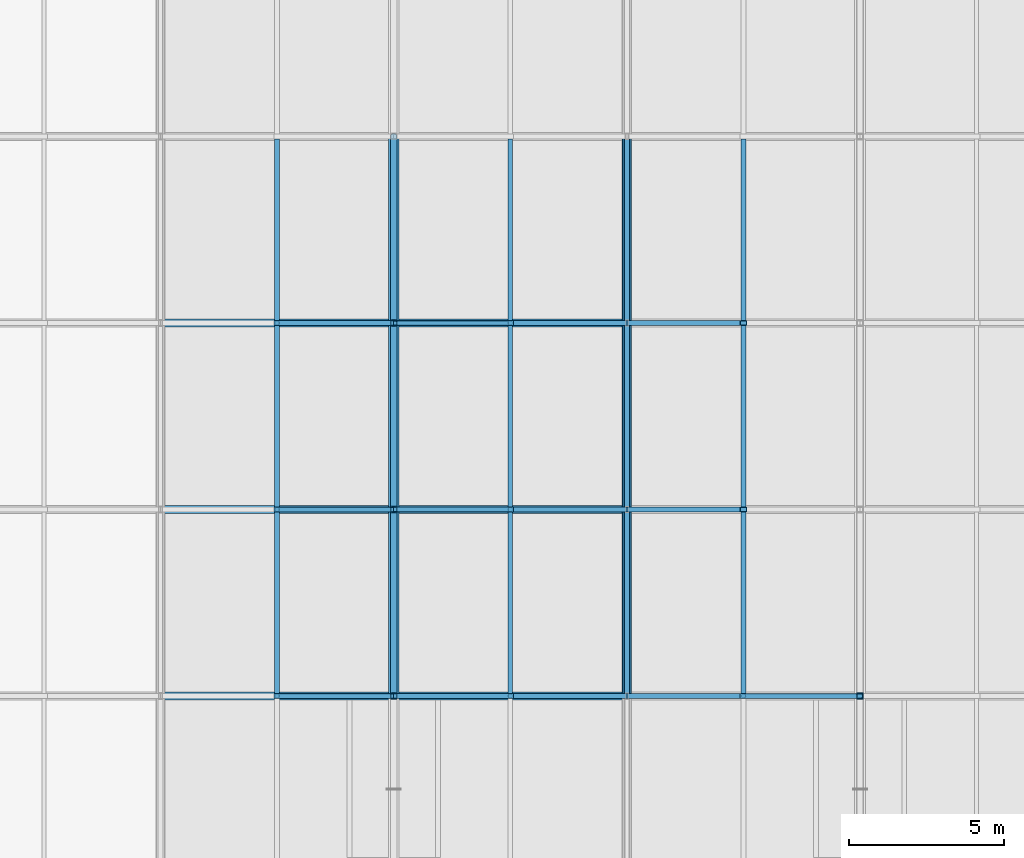
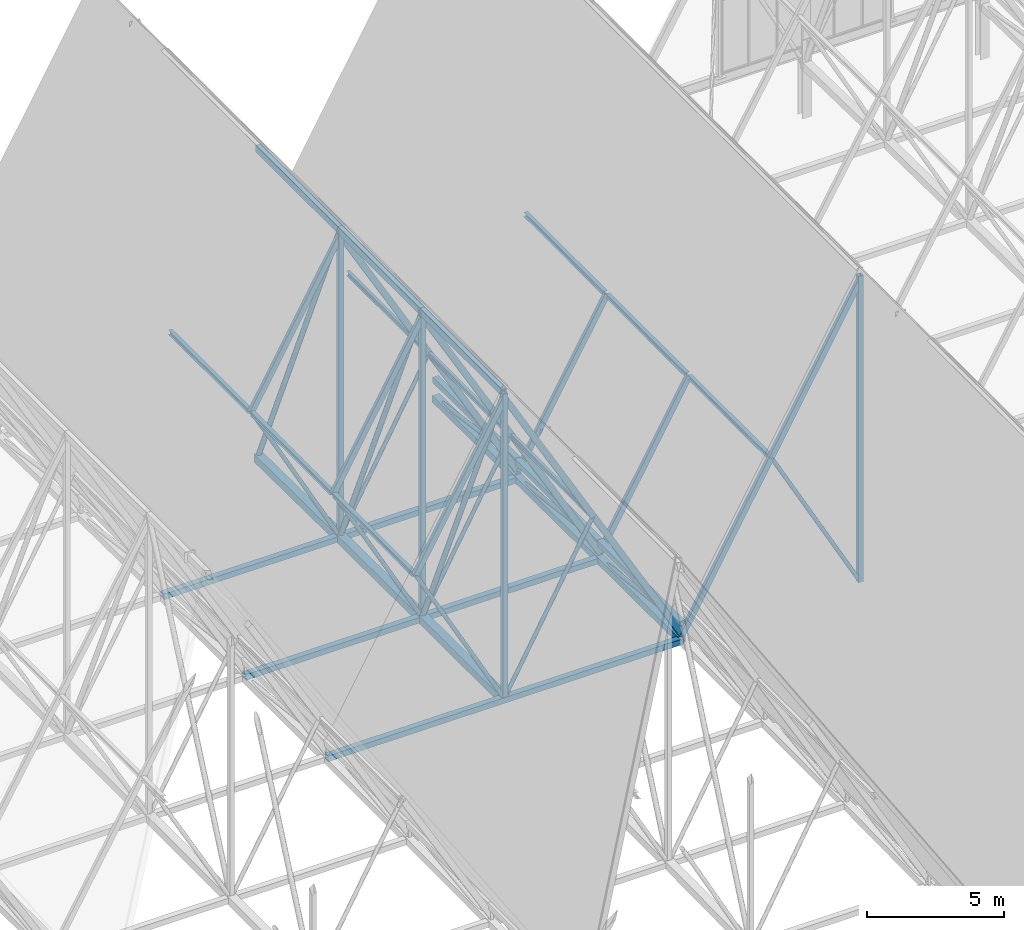
# One storey, part 151 of 324: 45 members, 9 beams.
"""IFC4 building model written with IfcOpenShell, lengths in metres."""

import ifcopenshell
import ifcopenshell.guid

model = None  # the IFC model being written
_history = None  # IfcOwnerHistory: only IFC2X3 demands one
_inside = {}  # id of a spatial element -> (the spatial element, [elements in it])
_under = {}  # id of a project, library or spatial element -> (it, [spatial elements below it])
_declared = {}  # id of a project -> (the project, [libraries it declares])
_typed = {}  # id of a type object -> (the type object, [elements of that type])
_made_of = {}  # id of a material, layer set ... -> (it, [elements and type objects made of it])


def new_model(schema):
    """Start an empty IFC model of exactly this schema.

    Asked for "IFC4X3", IfcOpenShell would pick the latest addendum, in which some entities
    have other attributes; the version numbers below select the first issue.
    IFC2X3 requires an IfcOwnerHistory on every rooted entity: one is made here for all.
    """
    global model, _history
    if schema == "IFC4X3":
        model = ifcopenshell.file(schema_version=(4, 3, 0, 0))
    else:
        model = ifcopenshell.file(schema=schema)
    _inside.clear()
    _under.clear()
    _declared.clear()
    _typed.clear()
    _made_of.clear()
    _history = None
    if model.schema == "IFC2X3":
        org = make("IfcOrganization", Name="unknown")
        user = make(
            "IfcPersonAndOrganization",
            ThePerson=make("IfcPerson", FamilyName="unknown"),
            TheOrganization=org,
        )
        app = make(
            "IfcApplication",
            ApplicationDeveloper=org,
            Version="unknown",
            ApplicationFullName="unknown",
            ApplicationIdentifier="unknown",
        )
        _history = make(
            "IfcOwnerHistory",
            OwningUser=user,
            OwningApplication=app,
            ChangeAction="ADDED",
            CreationDate=0,
        )
    return model


def make(cls, **values):
    """One entity of the class cls with the attributes given. An attribute that is None is left unset."""
    return model.create_entity(
        cls, **{name: value for name, value in values.items() if value is not None}
    )


def rooted(cls, **values):
    """An entity with a GlobalId (a new one), such as an element, a storey or a relation."""
    return make(cls, GlobalId=ifcopenshell.guid.new(), OwnerHistory=_history, **values)


def si_unit(unit_type, name, prefix=None):
    """IfcSIUnit, for example si_unit("LENGTHUNIT", "METRE", prefix="MILLI")."""
    return make("IfcSIUnit", UnitType=unit_type, Prefix=prefix, Name=name)


def assignment(units):
    """IfcUnitAssignment: the units of a project."""
    return None if units is None else make("IfcUnitAssignment", Units=units)


def point(xyz):
    """IfcCartesianPoint."""
    return None if xyz is None else make("IfcCartesianPoint", Coordinates=xyz)


def direction(xyz):
    """IfcDirection."""
    return None if xyz is None else make("IfcDirection", DirectionRatios=xyz)


def frame(location, z_axis=None, x_axis=None):
    """IfcAxis2Placement3D, a coordinate frame: its origin and axes. An axis left out is left unset."""
    return make(
        "IfcAxis2Placement3D",
        Location=point(location),
        Axis=direction(z_axis),
        RefDirection=direction(x_axis),
    )


def frame_2d(location, x_axis=None):
    """IfcAxis2Placement2D, a coordinate frame in the plane: its origin and x axis."""
    return make(
        "IfcAxis2Placement2D", Location=point(location), RefDirection=direction(x_axis)
    )


def origin():
    """The frame at (0, 0, 0) with its axes left unset."""
    return frame((0.0, 0.0, 0.0))


def origin_2d():
    """The frame at (0, 0) in the plane with its x axis left unset."""
    return frame_2d((0.0, 0.0))


def place(relative_to, where):
    """IfcLocalPlacement: puts the frame where relative to a parent placement (None: the world)."""
    return make(
        "IfcLocalPlacement", PlacementRelTo=relative_to, RelativePlacement=where
    )


def context(
    kind, dimensions, precision=None, world=None, true_north=None, identifier=None
):
    """IfcGeometricRepresentationContext, for example the 3D "Model" context."""
    return make(
        "IfcGeometricRepresentationContext",
        ContextIdentifier=identifier,
        ContextType=kind,
        CoordinateSpaceDimension=dimensions,
        Precision=precision,
        WorldCoordinateSystem=world,
        TrueNorth=true_north,
    )


def subcontext(parent, identifier, kind, view, scale=None):
    """IfcGeometricRepresentationSubContext, for example "Body" below "Model"."""
    return make(
        "IfcGeometricRepresentationSubContext",
        ContextIdentifier=identifier,
        ContextType=kind,
        ParentContext=parent,
        TargetScale=scale,
        TargetView=view,
    )


def project(units=None, contexts=None):
    """IfcProject with its units and contexts."""
    return rooted(
        "IfcProject",
        Name="project",
        RepresentationContexts=contexts,
        UnitsInContext=assignment(units),
    )


def spatial(cls, under=None, at=None, **own):
    """A site, building, storey or space (cls), placed at a placement, below another one or the project."""
    s = rooted(cls, ObjectPlacement=at, **own)
    if under is not None:
        _under.setdefault(under.id(), (under, []))[1].append(s)
    return s


def profile(cls, at=None, kind="AREA", **sizes):
    """A parametric profile (cls). Its sizes go by their IFC names, for example OverallWidth=200.0."""
    return make(cls, ProfileType=kind, Position=at, **sizes)


def hollow_rectangle(**sizes):
    """IfcRectangleHollowProfileDef."""
    return profile("IfcRectangleHollowProfileDef", **sizes)


def hollow_circle(**sizes):
    """IfcCircleHollowProfileDef."""
    return profile("IfcCircleHollowProfileDef", **sizes)


def i_section(**sizes):
    """IfcIShapeProfileDef."""
    return profile("IfcIShapeProfileDef", **sizes)


def extrude(swept, where, along, depth):
    """IfcExtrudedAreaSolid: the profile swept, set in the frame where, extruded along a direction by depth."""
    return make(
        "IfcExtrudedAreaSolid",
        SweptArea=swept,
        Position=where,
        ExtrudedDirection=direction(along),
        Depth=depth,
    )


def shape(context_of_items, identifier, shape_type, items):
    """IfcShapeRepresentation: the items that make up one representation, for example the "Body"."""
    return make(
        "IfcShapeRepresentation",
        ContextOfItems=context_of_items,
        RepresentationIdentifier=identifier,
        RepresentationType=shape_type,
        Items=items,
    )


def material(Name=None, Category=None):
    """IfcMaterial."""
    return make("IfcMaterial", Name=Name, Category=Category)


def material_profile(
    of_material, cross_section, Name=None, Category=None, Priority=None
):
    """IfcMaterialProfile: a cross section and its material."""
    return make(
        "IfcMaterialProfile",
        Name=Name,
        Material=of_material,
        Profile=cross_section,
        Priority=Priority,
        Category=Category,
    )


def profile_set(profiles, Name=None, composite=None):
    """IfcMaterialProfileSet."""
    return make(
        "IfcMaterialProfileSet",
        Name=Name,
        MaterialProfiles=profiles,
        CompositeProfile=composite,
    )


def made_of(thing, what):
    """Note that an element or type object is made of a material, layer set ...; save() writes the relation."""
    if what is not None:
        _made_of.setdefault(what.id(), (what, []))[1].append(thing)
    return thing


def type_object(cls, material=None, **own):
    """A type object (cls), such as IfcWallType, which elements share."""
    return made_of(rooted(cls, **own), material)


def element(
    cls,
    number,
    at=None,
    inside=None,
    cuts=None,
    type_object=None,
    material=None,
    context=None,
    identifier="Body",
    shape_type=None,
    held_by="IfcProductDefinitionShape",
    body=None,
    shapes=None,
    **own,
):
    """One element of the class cls, such as IfcWall. Its Tag is "e" and its number.

    at: its placement. inside: the storey or other place that contains it. cuts: it is an
    opening in that element (IfcRelVoidsElement). A single representation is given by context,
    identifier, shape_type and body (its items); several are given by shapes. held_by: the class
    of the entity that holds the representations. save() writes the other relations.
    """
    e = rooted(cls, Tag="e%d" % number, ObjectPlacement=at, **own)
    if body is not None:
        shapes = [shape(context, identifier, shape_type, body)]
    if shapes is not None:
        e.Representation = make(held_by, Representations=shapes)
    if inside is not None:
        _inside.setdefault(inside.id(), (inside, []))[1].append(e)
    if cuts is not None:
        rooted(
            "IfcRelVoidsElement", RelatingBuildingElement=cuts, RelatedOpeningElement=e
        )
    if type_object is not None:
        _typed.setdefault(type_object.id(), (type_object, []))[1].append(e)
    return made_of(e, material)


def aggregate(whole, parts):
    """IfcRelAggregates: a whole, such as a stair, and the parts it consists of."""
    return rooted("IfcRelAggregates", RelatingObject=whole, RelatedObjects=parts)


def save(model, path):
    """Write the relations noted so far, then the file.

    IfcRelAggregates (storeys below a building ...), IfcRelContainedInSpatialStructure (elements
    in a storey), IfcRelDefinesByType, IfcRelAssociatesMaterial and IfcRelDeclares: one each for
    every whole, place, type object, material and project.
    """
    for whole, parts in _under.values():
        aggregate(whole, parts)
    for where, things in _inside.values():
        rooted(
            "IfcRelContainedInSpatialStructure",
            RelatedElements=things,
            RelatingStructure=where,
        )
    for kind, things in _typed.values():
        rooted("IfcRelDefinesByType", RelatedObjects=things, RelatingType=kind)
    for what, things in _made_of.values():
        rooted("IfcRelAssociatesMaterial", RelatedObjects=things, RelatingMaterial=what)
    for by, libraries in _declared.values():
        rooted("IfcRelDeclares", RelatingContext=by, RelatedDefinitions=libraries)
    model.write(path)


model = new_model("IFC4")

# Units and contexts
model_context = context("Model", 3, precision=1e-05, world=origin(), true_north=direction((0.0, 1.0)))
body_context = subcontext(model_context, "Body", "Model", "MODEL_VIEW")
ifc_project = project(units=[si_unit("LENGTHUNIT", "METRE"), si_unit("AREAUNIT", "SQUARE_METRE"), si_unit("VOLUMEUNIT", "CUBIC_METRE"), si_unit("PLANEANGLEUNIT", "RADIAN"), si_unit("MASSUNIT", "GRAM", prefix="KILO")], contexts=[model_context])

# Site, building, storey
site_placement = place(None, origin())
site = spatial("IfcSite", under=ifc_project, at=site_placement, CompositionType="ELEMENT")
building_placement = place(site_placement, origin())
building = spatial("IfcBuilding", under=site, at=building_placement, Name="Solvenia Promenade Tram Depot", CompositionType="ELEMENT")
storey_placement = place(building_placement, frame((0.0, 0.0, 4.5)))
storey = spatial("IfcBuildingStorey", under=building, at=storey_placement, Name="L01", CompositionType="ELEMENT", Elevation=4.5)

# Members
ifc_material_1 = material(Name="Structural steel ASTM A500 Gr. C", Category="steel")
ifc_material_profile_1 = material_profile(ifc_material_1, hollow_circle(Radius=0.109619140625, WallThickness=0.008056640625, at=origin_2d()), Name="CHS219.1x8", Category="steel")
ifc_profile_set_1 = profile_set([ifc_material_profile_1], Name="Structural steel ASTM A500 Gr. C")
member_type_1 = type_object("IfcMemberType", Name="Brace-CHS219x8", PredefinedType="BRACE", material=ifc_profile_set_1)
member_1_placement = place(storey_placement, frame((67.5, 102.0, 2.656005859375), z_axis=(0.0, -0.402054291977, 0.915615828993), x_axis=(1.0, 0.0, 0.0)))
element("IfcMember", 1, at=member_1_placement, inside=storey, type_object=member_type_1, Name="Arched Truss T10 Web Diagonal S06", PredefinedType="BRACE", context=body_context, shape_type="SweptSolid", body=[
    extrude(hollow_circle(Radius=0.109619140625, WallThickness=0.008056640625, at=origin_2d()), origin(), (0.0, 0.0, 1.0), 14.92333984375),
])
member_2_placement = place(storey_placement, frame((67.5, 108.0, 2.614013671875), z_axis=(0.0, -0.401020841263, 0.916068930197), x_axis=(1.0, 0.0, 0.0)))
element("IfcMember", 2, at=member_2_placement, inside=storey, type_object=member_type_1, Name="Arched Truss T10 Web Diagonal S07", PredefinedType="BRACE", context=body_context, shape_type="SweptSolid", body=[
    extrude(hollow_circle(Radius=0.109619140625, WallThickness=0.008056640625, at=origin_2d()), origin(), (0.0, 0.0, 1.0), 14.9619140625),
])
member_3_placement = place(storey_placement, frame((67.5, 114.0, 2.5439453125), z_axis=(0.0, -0.399307079177, 0.916817242704), x_axis=(1.0, 0.0, 0.0)))
element("IfcMember", 3, at=member_3_placement, inside=storey, type_object=member_type_1, Name="Arched Truss T10 Web Diagonal S08", PredefinedType="BRACE", context=body_context, shape_type="SweptSolid", body=[
    extrude(hollow_circle(Radius=0.109619140625, WallThickness=0.008056640625, at=origin_2d()), origin(), (0.0, 0.0, 1.0), 15.026123046875),
])
ifc_material_profile_2 = material_profile(ifc_material_1, hollow_rectangle(XDim=0.14990234375, YDim=0.25, WallThickness=0.010009765625, at=origin_2d()), Name="HSS250x150x10", Category="steel")
ifc_profile_set_2 = profile_set([ifc_material_profile_2], Name="Structural steel ASTM A500 Gr. C")
member_type_2 = type_object("IfcMemberType", Name="Chord-HSS250x150x10", PredefinedType="CHORD", material=ifc_profile_set_2)
for number, where, z_axis, x_axis, name in (
    (4, (63.75, 96.0, 9.501220703125), (0.494861595532, 0.0, 0.868971806946), (0.0, 1.0, 0.0), "Zigzag Gable 05 West Upper Rafter"),
    (5, (67.5, 96.0, 16.086181640625), (0.494861595532, 0.0, -0.868971806946), (0.0, 1.0, 0.0), "Zigzag Gable 05 East Upper Rafter"),
    (6, (71.25, 96.0, 9.501220703125), (0.494861595532, 0.0, -0.868971806946), (0.0, 1.0, 0.0), "Zigzag Gable 05 East Lower Rafter"),
    (7, (63.75, 102.0, 9.501220703125), (0.494861595532, 0.0, 0.868971806946), (0.0, 1.0, 0.0), "Zigzag Gable 05 West Upper Rafter"),
    (8, (67.5, 102.0, 16.086181640625), (0.494861595532, 0.0, -0.868971806946), (0.0, 1.0, 0.0), "Zigzag Gable 05 East Upper Rafter"),
    (9, (71.25, 102.0, 9.501220703125), (0.494861595532, 0.0, -0.868971806946), (0.0, 1.0, 0.0), "Zigzag Gable 05 East Lower Rafter"),
    (10, (63.75, 108.0, 9.501220703125), (0.494861595532, 0.0, 0.868971806946), (0.0, 1.0, 0.0), "Zigzag Gable 05 West Upper Rafter"),
    (11, (67.5, 108.0, 16.086181640625), (0.494861595532, 0.0, -0.868971806946), (0.0, 1.0, 0.0), "Zigzag Gable 05 East Upper Rafter"),
    (12, (71.25, 108.0, 9.501220703125), (0.494861595532, 0.0, -0.868971806946), (0.0, 1.0, 0.0), "Zigzag Gable 05 East Lower Rafter"),
    (13, (75.0, 96.0, 2.916259765625), (0.494861595532, 0.0, 0.868971806946), (0.0, 1.0, 0.0), "Zigzag Gable 06 West Lower Rafter"),
    (14, (78.75, 96.0, 9.501220703125), (0.494861595532, 0.0, 0.868971806946), (0.0, 1.0, 0.0), "Zigzag Gable 06 West Upper Rafter"),
    (15, (75.0, 102.0, 2.916259765625), (0.494861595532, 0.0, 0.868971806946), (0.0, 1.0, 0.0), "Zigzag Gable 06 West Lower Rafter"),
    (16, (75.0, 108.0, 2.916259765625), (0.494861595532, 0.0, 0.868971806946), (0.0, 1.0, 0.0), "Zigzag Gable 06 West Lower Rafter"),
):
    element("IfcMember", number, at=place(storey_placement, frame(where, z_axis=z_axis, x_axis=x_axis)), inside=storey, type_object=member_type_2, Name=name, PredefinedType="CHORD", context=body_context, shape_type="SweptSolid", body=[
        extrude(hollow_rectangle(XDim=0.14990234375, YDim=0.25, WallThickness=0.010009765625, at=origin_2d()), origin(), (0.0, 0.0, 1.0), 7.577880859375),
    ])
ifc_material_profile_3 = material_profile(ifc_material_1, hollow_rectangle(XDim=0.25, YDim=0.25, WallThickness=0.010009765625, at=origin_2d()), Name="HSS250x250x10", Category="steel")
ifc_profile_set_3 = profile_set([ifc_material_profile_3], Name="Structural steel ASTM A500 Gr. C")
member_type_3 = type_object("IfcMemberType", Name="Chord-HSS250x250x10", PredefinedType="CHORD", material=ifc_profile_set_3)
for number, where, z_axis, x_axis, name in (
    (17, (75.0, 96.0, 3.3798828125), (0.0, 1.0, 0.0), (-1.0, 0.0, 0.0), "Arched Truss T11 Upper Chord S06"),
    (18, (75.0, 102.0, 3.3798828125), (0.0, 1.0, 0.0), (-1.0, 0.0, 0.0), "Arched Truss T11 Upper Chord S07"),
    (19, (75.0, 108.0, 3.3798828125), (0.0, 1.0, 0.0), (-1.0, 0.0, 0.0), "Arched Truss T11 Upper Chord S08"),
):
    element("IfcMember", number, at=place(storey_placement, frame(where, z_axis=z_axis, x_axis=x_axis)), inside=storey, type_object=member_type_3, Name=name, PredefinedType="CHORD", context=body_context, shape_type="SweptSolid", body=[
        extrude(hollow_rectangle(XDim=0.25, YDim=0.25, WallThickness=0.010009765625, at=origin_2d()), origin(), (0.0, 0.0, 1.0), 6.0),
    ])
for number, where, z_axis, x_axis, name in (
    (20, (60.0, 96.0, 2.669921875), (1.0, 0.0, 0.0), (0.0, 1.0, 0.0), "Bottom-Chord Catenary Lateral Tie 041"),
    (21, (60.0, 102.0, 2.656005859375), (1.0, 0.0, 0.0), (0.0, 1.0, 0.0), "Bottom-Chord Catenary Lateral Tie 042"),
    (22, (60.0, 108.0, 2.614013671875), (1.0, 0.0, 0.0), (0.0, 1.0, 0.0), "Bottom-Chord Catenary Lateral Tie 043"),
):
    element("IfcMember", number, at=place(storey_placement, frame(where, z_axis=z_axis, x_axis=x_axis)), inside=storey, type_object=member_type_3, Name=name, PredefinedType="CHORD", context=body_context, shape_type="SweptSolid", body=[
        extrude(hollow_rectangle(XDim=0.25, YDim=0.25, WallThickness=0.010009765625, at=origin_2d()), origin(), (0.0, 0.0, 1.0), 15.0),
    ])
ifc_material_profile_4 = material_profile(ifc_material_1, hollow_rectangle(XDim=0.199951171875, YDim=0.300048828125, WallThickness=0.012451171875, at=origin_2d()), Name="HSS300x200x12.5", Category="steel")
ifc_profile_set_4 = profile_set([ifc_material_profile_4], Name="Structural steel ASTM A500 Gr. C")
member_type_4 = type_object("IfcMemberType", Name="Chord-HSS300x200x12", PredefinedType="CHORD", material=ifc_profile_set_4)
for number, where, z_axis, x_axis, name in (
    (23, (67.5, 96.0, 16.320068359375), (0.0, 1.0, 0.0), (-1.0, 0.0, 0.0), "Arched Truss T10 Upper Chord S06"),
    (24, (67.5, 102.0, 16.320068359375), (0.0, 1.0, 0.0), (-1.0, 0.0, 0.0), "Arched Truss T10 Upper Chord S07"),
    (25, (67.5, 108.0, 16.320068359375), (0.0, 1.0, 0.0), (-1.0, 0.0, 0.0), "Arched Truss T10 Upper Chord S08"),
):
    element("IfcMember", number, at=place(storey_placement, frame(where, z_axis=z_axis, x_axis=x_axis)), inside=storey, type_object=member_type_4, Name=name, PredefinedType="CHORD", context=body_context, shape_type="SweptSolid", body=[
        extrude(hollow_rectangle(XDim=0.199951171875, YDim=0.300048828125, WallThickness=0.012451171875, at=origin_2d()), origin(), (0.0, 0.0, 1.0), 6.0),
    ])
ifc_material_profile_5 = material_profile(ifc_material_1, hollow_rectangle(XDim=0.300048828125, YDim=0.300048828125, WallThickness=0.012451171875, at=origin_2d()), Name="HSS300x300x12.5", Category="steel")
ifc_profile_set_5 = profile_set([ifc_material_profile_5], Name="Structural steel ASTM A500 Gr. C")
member_type_5 = type_object("IfcMemberType", Name="Chord-HSS300x300x12", PredefinedType="CHORD", material=ifc_profile_set_5)
member_4_placement = place(storey_placement, frame((75.0, 96.0, 2.669921875), z_axis=(0.0, 0.999997310351, -0.002319329699), x_axis=(-1.0, 0.0, 0.0)))
element("IfcMember", 26, at=member_4_placement, inside=storey, type_object=member_type_5, Name="Arched Truss T11 Bottom Chord S06", PredefinedType="CHORD", context=body_context, shape_type="SweptSolid", body=[
    extrude(hollow_rectangle(XDim=0.300048828125, YDim=0.300048828125, WallThickness=0.012451171875, at=origin_2d()), origin(), (0.0, 0.0, 1.0), 6.0),
])
member_5_placement = place(storey_placement, frame((75.0, 102.0, 2.656005859375), z_axis=(0.0, 0.999975510013, -0.006998526519), x_axis=(-1.0, 0.0, 0.0)))
element("IfcMember", 27, at=member_5_placement, inside=storey, type_object=member_type_5, Name="Arched Truss T11 Bottom Chord S07", PredefinedType="CHORD", context=body_context, shape_type="SweptSolid", body=[
    extrude(hollow_rectangle(XDim=0.300048828125, YDim=0.300048828125, WallThickness=0.012451171875, at=origin_2d()), origin(), (0.0, 0.0, 1.0), 6.000244140625),
])
member_6_placement = place(storey_placement, frame((75.0, 108.0, 2.614013671875), z_axis=(0.0, 0.999931818432, -0.011677263667), x_axis=(-1.0, 0.0, 0.0)))
element("IfcMember", 28, at=member_6_placement, inside=storey, type_object=member_type_5, Name="Arched Truss T11 Bottom Chord S08", PredefinedType="CHORD", context=body_context, shape_type="SweptSolid", body=[
    extrude(hollow_rectangle(XDim=0.300048828125, YDim=0.300048828125, WallThickness=0.012451171875, at=origin_2d()), origin(), (0.0, 0.0, 1.0), 6.00048828125),
])
ifc_material_profile_6 = material_profile(ifc_material_1, hollow_rectangle(XDim=0.35009765625, YDim=0.35009765625, WallThickness=0.01611328125, at=origin_2d()), Name="HSS350x350x16", Category="steel")
ifc_profile_set_6 = profile_set([ifc_material_profile_6], Name="Structural steel ASTM A500 Gr. C")
member_type_6 = type_object("IfcMemberType", Name="Chord-HSS350x350x16", PredefinedType="CHORD", material=ifc_profile_set_6)
member_7_placement = place(storey_placement, frame((67.5, 96.0, 2.669921875), z_axis=(0.0, 0.999997310351, -0.002319329699), x_axis=(-1.0, 0.0, 0.0)))
element("IfcMember", 29, at=member_7_placement, inside=storey, type_object=member_type_6, Name="Arched Truss T10 Bottom Chord S06", PredefinedType="CHORD", context=body_context, shape_type="SweptSolid", body=[
    extrude(hollow_rectangle(XDim=0.35009765625, YDim=0.35009765625, WallThickness=0.01611328125, at=origin_2d()), origin(), (0.0, 0.0, 1.0), 6.0),
])
member_8_placement = place(storey_placement, frame((67.5, 102.0, 2.656005859375), z_axis=(0.0, 0.999975510013, -0.006998526519), x_axis=(-1.0, 0.0, 0.0)))
element("IfcMember", 30, at=member_8_placement, inside=storey, type_object=member_type_6, Name="Arched Truss T10 Bottom Chord S07", PredefinedType="CHORD", context=body_context, shape_type="SweptSolid", body=[
    extrude(hollow_rectangle(XDim=0.35009765625, YDim=0.35009765625, WallThickness=0.01611328125, at=origin_2d()), origin(), (0.0, 0.0, 1.0), 6.000244140625),
])
member_9_placement = place(storey_placement, frame((67.5, 108.0, 2.614013671875), z_axis=(0.0, 0.999931818432, -0.011677263667), x_axis=(-1.0, 0.0, 0.0)))
element("IfcMember", 31, at=member_9_placement, inside=storey, type_object=member_type_6, Name="Arched Truss T10 Bottom Chord S08", PredefinedType="CHORD", context=body_context, shape_type="SweptSolid", body=[
    extrude(hollow_rectangle(XDim=0.35009765625, YDim=0.35009765625, WallThickness=0.01611328125, at=origin_2d()), origin(), (0.0, 0.0, 1.0), 6.00048828125),
])
ifc_material_profile_7 = material_profile(ifc_material_1, hollow_rectangle(XDim=0.199951171875, YDim=0.199951171875, WallThickness=0.010009765625, at=origin_2d()), Name="HSS200x200x10", Category="steel")
ifc_profile_set_7 = profile_set([ifc_material_profile_7], Name="Structural steel ASTM A500 Gr. C")
member_type_7 = type_object("IfcMemberType", Name="Post-HSS200x200x10", PredefinedType="POST", material=ifc_profile_set_7)
member_10_placement = place(storey_placement, frame((67.5, 96.0, 2.669921875), z_axis=(0.0, 0.0, 1.0), x_axis=(1.0, 0.0, 0.0)))
element("IfcMember", 32, at=member_10_placement, inside=storey, type_object=member_type_7, Name="Arched Truss T10 Web Post S05", PredefinedType="POST", context=body_context, shape_type="SweptSolid", body=[
    extrude(hollow_rectangle(XDim=0.199951171875, YDim=0.199951171875, WallThickness=0.010009765625, at=origin_2d()), origin(), (0.0, 0.0, 1.0), 13.650146484375),
])
member_11_placement = place(storey_placement, frame((67.5, 102.0, 2.656005859375), z_axis=(0.0, 0.0, 1.0), x_axis=(1.0, 0.0, 0.0)))
element("IfcMember", 33, at=member_11_placement, inside=storey, type_object=member_type_7, Name="Arched Truss T10 Web Post S06", PredefinedType="POST", context=body_context, shape_type="SweptSolid", body=[
    extrude(hollow_rectangle(XDim=0.199951171875, YDim=0.199951171875, WallThickness=0.010009765625, at=origin_2d()), origin(), (0.0, 0.0, 1.0), 13.6640625),
])
member_12_placement = place(storey_placement, frame((67.5, 108.0, 2.614013671875), z_axis=(0.0, 0.0, 1.0), x_axis=(1.0, 0.0, 0.0)))
element("IfcMember", 34, at=member_12_placement, inside=storey, type_object=member_type_7, Name="Arched Truss T10 Web Post S07", PredefinedType="POST", context=body_context, shape_type="SweptSolid", body=[
    extrude(hollow_rectangle(XDim=0.199951171875, YDim=0.199951171875, WallThickness=0.010009765625, at=origin_2d()), origin(), (0.0, 0.0, 1.0), 13.7060546875),
])
member_13_placement = place(storey_placement, frame((82.5, 96.0, 2.669921875), z_axis=(0.0, 0.0, 1.0), x_axis=(1.0, 0.0, 0.0)))
element("IfcMember", 35, at=member_13_placement, inside=storey, type_object=member_type_7, Name="Arched Truss T12 Web Post S05", PredefinedType="POST", context=body_context, shape_type="SweptSolid", body=[
    extrude(hollow_rectangle(XDim=0.199951171875, YDim=0.199951171875, WallThickness=0.010009765625, at=origin_2d()), origin(), (0.0, 0.0, 1.0), 13.650146484375),
])

# Beams
ifc_material_2 = material(Name="Structural steel ASTM A992 Gr. 50", Category="steel")
ifc_material_profile_8 = material_profile(ifc_material_2, i_section(OverallWidth=0.133056640625, OverallDepth=0.20703125, WebThickness=0.005859375, FlangeThickness=0.00830078125, FilletRadius=0.009033203125, at=origin_2d()), Name="W200x27", Category="steel")
ifc_profile_set_8 = profile_set([ifc_material_profile_8], Name="Structural steel ASTM A992 Gr. 50")
beam_type_1 = type_object("IfcBeamType", Name="Purlin-W200x27", PredefinedType="USERDEFINED", material=ifc_profile_set_8)
for number, where, z_axis, x_axis, name in (
    (36, (71.25, 96.0849609375, 9.484130859375), (0.0, 1.0, 0.0), (-1.0, 0.0, 0.0), "Gable Roof Purlin E-0092"),
    (37, (71.25, 102.0849609375, 9.484130859375), (0.0, 1.0, 0.0), (-1.0, 0.0, 0.0), "Gable Roof Purlin E-0094"),
    (38, (71.25, 108.0849609375, 9.484130859375), (0.0, 1.0, 0.0), (-1.0, 0.0, 0.0), "Gable Roof Purlin E-0096"),
):
    element("IfcBeam", number, at=place(storey_placement, frame(where, z_axis=z_axis, x_axis=x_axis)), inside=storey, type_object=beam_type_1, Name=name, ObjectType="PURLIN", PredefinedType="USERDEFINED", context=body_context, shape_type="SweptSolid", body=[
        extrude(i_section(OverallWidth=0.133056640625, OverallDepth=0.20703125, WebThickness=0.005859375, FlangeThickness=0.00830078125, FilletRadius=0.009033203125, at=origin_2d()), origin(), (0.0, 0.0, 1.0), 5.830078125),
    ])
ifc_material_profile_9 = material_profile(ifc_material_2, i_section(OverallWidth=0.1650390625, OverallDepth=0.200927734375, WebThickness=0.006103515625, FlangeThickness=0.01025390625, FilletRadius=0.010009765625, at=origin_2d()), Name="W200x36", Category="steel")
ifc_profile_set_9 = profile_set([ifc_material_profile_9], Name="Structural steel ASTM A992 Gr. 50")
beam_type_2 = type_object("IfcBeamType", Name="Purlin-W200x36", PredefinedType="USERDEFINED", material=ifc_profile_set_9)
for number, where, z_axis, x_axis, name in (
    (39, (63.75, 96.0849609375, 9.484130859375), (0.0, 1.0, 0.0), (-1.0, 0.0, 0.0), "Gable Roof Purlin W-0091"),
    (40, (63.75, 102.0849609375, 9.484130859375), (0.0, 1.0, 0.0), (-1.0, 0.0, 0.0), "Gable Roof Purlin W-0093"),
    (41, (63.75, 108.0849609375, 9.484130859375), (0.0, 1.0, 0.0), (-1.0, 0.0, 0.0), "Gable Roof Purlin W-0095"),
    (42, (78.75, 96.0849609375, 9.484130859375), (0.0, 1.0, 0.0), (-1.0, 0.0, 0.0), "Gable Roof Purlin W-0111"),
    (43, (78.75, 102.0849609375, 9.484130859375), (0.0, 1.0, 0.0), (-1.0, 0.0, 0.0), "Gable Roof Purlin W-0113"),
    (44, (78.75, 108.0849609375, 9.484130859375), (0.0, 1.0, 0.0), (-1.0, 0.0, 0.0), "Gable Roof Purlin W-0115"),
):
    element("IfcBeam", number, at=place(storey_placement, frame(where, z_axis=z_axis, x_axis=x_axis)), inside=storey, type_object=beam_type_2, Name=name, ObjectType="PURLIN", PredefinedType="USERDEFINED", context=body_context, shape_type="SweptSolid", body=[
        extrude(i_section(OverallWidth=0.1650390625, OverallDepth=0.200927734375, WebThickness=0.006103515625, FlangeThickness=0.01025390625, FilletRadius=0.010009765625, at=origin_2d()), origin(), (0.0, 0.0, 1.0), 5.830078125),
    ])

# Members
ifc_material_profile_10 = material_profile(ifc_material_1, hollow_circle(Radius=0.084228515625, WallThickness=0.008056640625, at=origin_2d()), Name="CHS168.3x8", Category="steel")
ifc_profile_set_10 = profile_set([ifc_material_profile_10], Name="Structural steel ASTM A500 Gr. C")
member_type_8 = type_object("IfcMemberType", Name="WebDiag-CHS168x8", PredefinedType="BRACE", material=ifc_profile_set_10)
member_14_placement = place(storey_placement, frame((75.0, 102.0, 2.656005859375), z_axis=(0.0, -0.992800749036, 0.119777596879), x_axis=(1.0, 0.0, 0.0)))
element("IfcMember", 45, at=member_14_placement, inside=storey, type_object=member_type_8, Name="Arched Truss T11 Web Diagonal S06", PredefinedType="BRACE", context=body_context, shape_type="SweptSolid", body=[
    extrude(hollow_circle(Radius=0.084228515625, WallThickness=0.008056640625, at=origin_2d()), origin(), (0.0, 0.0, 1.0), 6.04345703125),
])
member_15_placement = place(storey_placement, frame((75.0, 108.0, 2.614013671875), z_axis=(0.0, -0.991951613347, 0.126617521609), x_axis=(1.0, 0.0, 0.0)))
element("IfcMember", 46, at=member_15_placement, inside=storey, type_object=member_type_8, Name="Arched Truss T11 Web Diagonal S07", PredefinedType="BRACE", context=body_context, shape_type="SweptSolid", body=[
    extrude(hollow_circle(Radius=0.084228515625, WallThickness=0.008056640625, at=origin_2d()), origin(), (0.0, 0.0, 1.0), 6.048583984375),
])
member_16_placement = place(storey_placement, frame((75.0, 114.0, 2.5439453125), z_axis=(0.0, -0.990433608353, 0.13799009908), x_axis=(1.0, 0.0, 0.0)))
element("IfcMember", 47, at=member_16_placement, inside=storey, type_object=member_type_8, Name="Arched Truss T11 Web Diagonal S08", PredefinedType="BRACE", context=body_context, shape_type="SweptSolid", body=[
    extrude(hollow_circle(Radius=0.084228515625, WallThickness=0.008056640625, at=origin_2d()), origin(), (0.0, 0.0, 1.0), 6.057861328125),
])
for number, where, z_axis, x_axis, name in (
    (48, (67.5, 96.0, 2.669921875), (-0.48120783409, 0.0, 0.876606536828), (0.0, -1.0, 0.0), "Zigzag Gable 05 West Knee Strut"),
    (49, (67.5, 96.0, 2.669921875), (0.48120783409, 0.0, 0.876606536828), (0.0, 1.0, 0.0), "Zigzag Gable 05 East Knee Strut"),
):
    element("IfcMember", number, at=place(storey_placement, frame(where, z_axis=z_axis, x_axis=x_axis)), inside=storey, type_object=member_type_8, Name=name, PredefinedType="BRACE", context=body_context, shape_type="SweptSolid", body=[
        extrude(hollow_circle(Radius=0.084228515625, WallThickness=0.008056640625, at=origin_2d()), origin(), (0.0, 0.0, 1.0), 7.79296875),
    ])
for number, where, z_axis, x_axis, name in (
    (50, (67.5, 102.0, 2.656005859375), (-0.480455559287, 0.0, 0.877019073652), (0.0, -1.0, 0.0), "Zigzag Gable 05 West Knee Strut"),
    (51, (67.5, 102.0, 2.656005859375), (0.480455559287, 0.0, 0.877019073652), (0.0, 1.0, 0.0), "Zigzag Gable 05 East Knee Strut"),
):
    element("IfcMember", number, at=place(storey_placement, frame(where, z_axis=z_axis, x_axis=x_axis)), inside=storey, type_object=member_type_8, Name=name, PredefinedType="BRACE", context=body_context, shape_type="SweptSolid", body=[
        extrude(hollow_circle(Radius=0.084228515625, WallThickness=0.008056640625, at=origin_2d()), origin(), (0.0, 0.0, 1.0), 7.80517578125),
    ])
for number, where, z_axis, x_axis, name in (
    (52, (67.5, 108.0, 2.614013671875), (-0.478197616955, 0.0, 0.878252263953), (0.0, -1.0, 0.0), "Zigzag Gable 05 West Knee Strut"),
    (53, (67.5, 108.0, 2.614013671875), (0.478197616955, 0.0, 0.878252263953), (0.0, 1.0, 0.0), "Zigzag Gable 05 East Knee Strut"),
):
    element("IfcMember", number, at=place(storey_placement, frame(where, z_axis=z_axis, x_axis=x_axis)), inside=storey, type_object=member_type_8, Name=name, PredefinedType="BRACE", context=body_context, shape_type="SweptSolid", body=[
        extrude(hollow_circle(Radius=0.084228515625, WallThickness=0.008056640625, at=origin_2d()), origin(), (0.0, 0.0, 1.0), 7.842041015625),
    ])
member_17_placement = place(storey_placement, frame((82.5, 96.0, 2.669921875), z_axis=(-0.48120783409, 0.0, 0.876606536828), x_axis=(0.0, -1.0, 0.0)))
element("IfcMember", 54, at=member_17_placement, inside=storey, type_object=member_type_8, Name="Zigzag Gable 06 West Knee Strut", PredefinedType="BRACE", context=body_context, shape_type="SweptSolid", body=[
    extrude(hollow_circle(Radius=0.084228515625, WallThickness=0.008056640625, at=origin_2d()), origin(), (0.0, 0.0, 1.0), 7.79296875),
])

save(model, "model.ifc")
